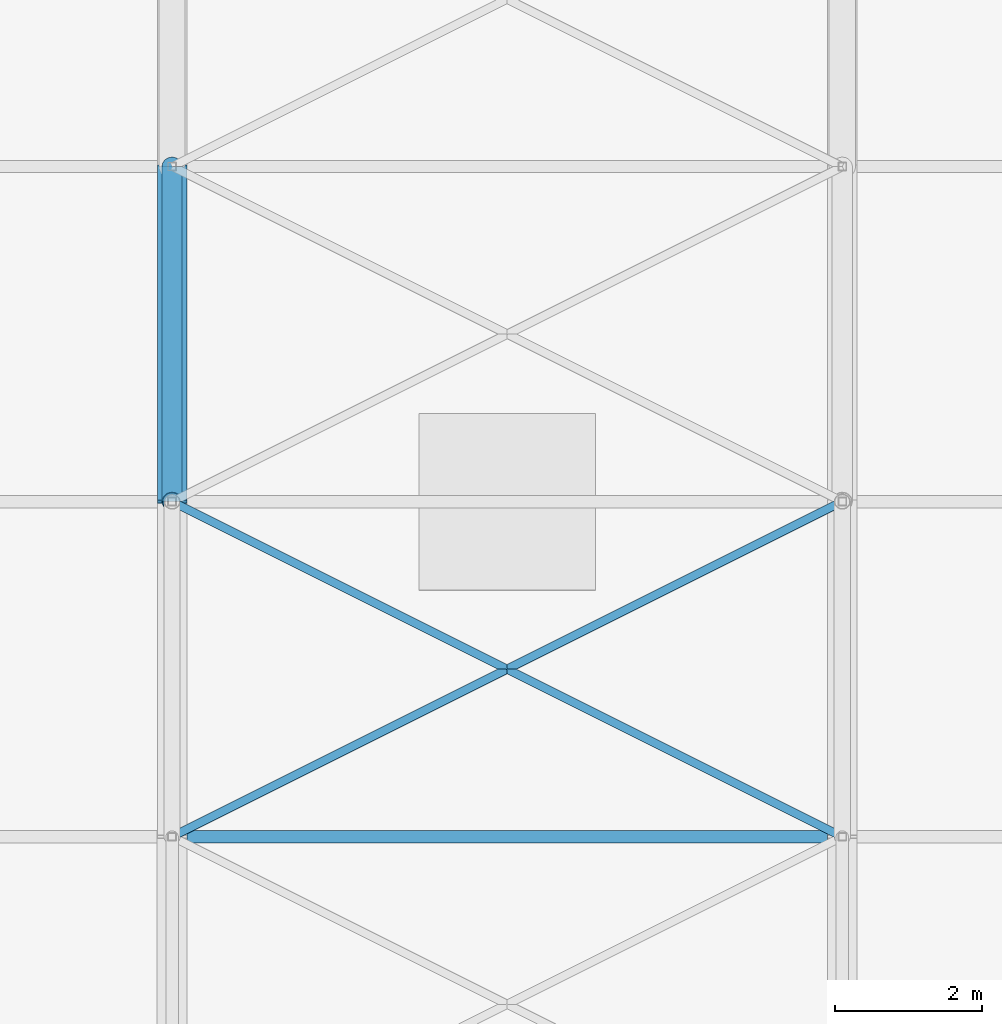
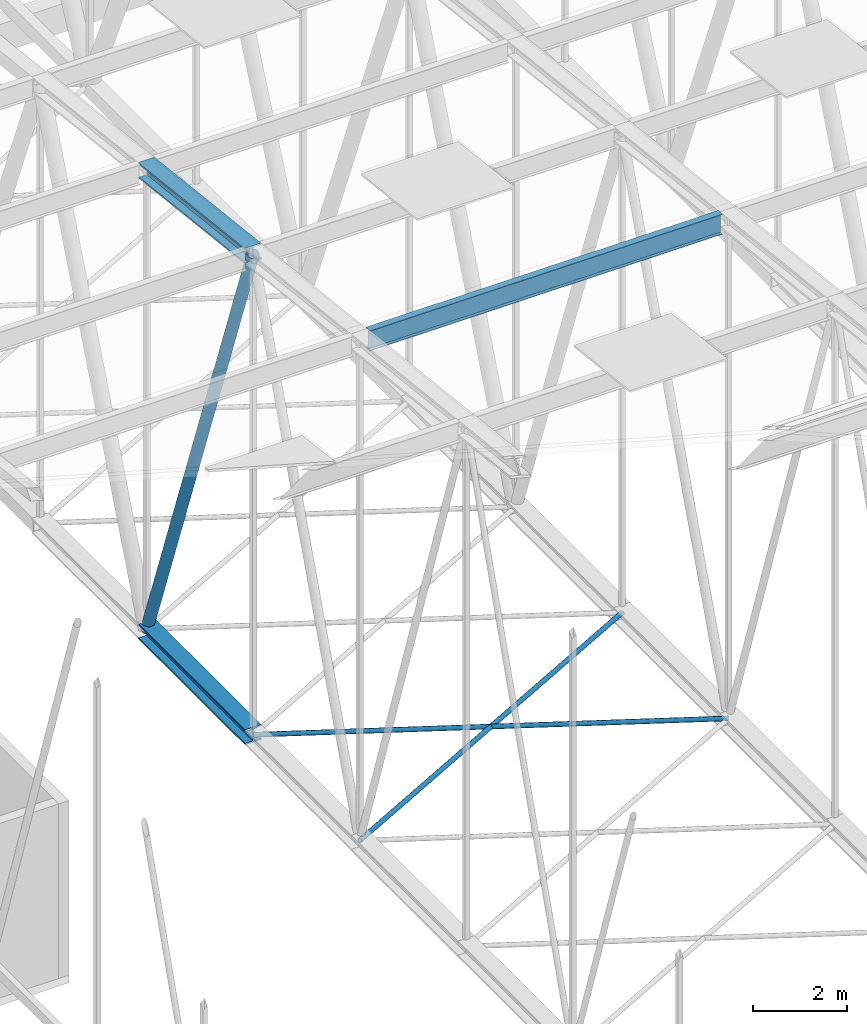
# One storey, part 204 of 500: 6 members.
"""IFC4 building model written with IfcOpenShell, lengths in metres."""

from ifc_helpers import new_model, si_unit, direction, frame, origin, origin_2d, place, context, subcontext, project, spatial, hollow_circle, i_section, extrude, material, material_profile, profile_set, type_object, element, save


model = new_model("IFC4")

# Units and contexts
model_context = context("Model", 3, precision=1e-05, world=origin(), true_north=direction((0.0, 1.0)))
body_context = subcontext(model_context, "Body", "Model", "MODEL_VIEW")
ifc_project = project(units=[si_unit("LENGTHUNIT", "METRE"), si_unit("AREAUNIT", "SQUARE_METRE"), si_unit("VOLUMEUNIT", "CUBIC_METRE"), si_unit("PLANEANGLEUNIT", "RADIAN"), si_unit("MASSUNIT", "GRAM", prefix="KILO")], contexts=[model_context])

# Site, building, storey
site_placement = place(None, origin())
site = spatial("IfcSite", under=ifc_project, at=site_placement, CompositionType="ELEMENT")
building_placement = place(site_placement, origin())
building = spatial("IfcBuilding", under=site, at=building_placement, Name="Shirokan Park Arena", CompositionType="ELEMENT")
storey_placement = place(building_placement, frame((0.0, 0.0, 29.1201171875)))
storey = spatial("IfcBuildingStorey", under=building, at=storey_placement, Name="L06", CompositionType="ELEMENT", Elevation=29.1201171875)

# Members
ifc_material_1 = material(Name="Steel ASTM A992", Category="steel")
ifc_material_profile_1 = material_profile(ifc_material_1, i_section(OverallWidth=0.40087890625, OverallDepth=0.39892578125, WebThickness=0.02490234375, FlangeThickness=0.03955078125, at=origin_2d()), Name="W360X314")
ifc_profile_set_1 = profile_set([ifc_material_profile_1], Name="Steel ASTM A992")
member_type_1 = type_object("IfcMemberType", Name="Bottom chord W360X314", PredefinedType="CHORD", material=ifc_profile_set_1)
member_1_placement = place(storey_placement, frame((45.5, 68.25, 4.677001953125), z_axis=(0.0, 1.0, 0.0), x_axis=(-1.0, 0.0, 0.0)))
element("IfcMember", 1, at=member_1_placement, inside=storey, type_object=member_type_1, Name="Truss T06 bottom chord 18", PredefinedType="CHORD", context=body_context, shape_type="SweptSolid", body=[
    extrude(i_section(OverallWidth=0.40087890625, OverallDepth=0.39892578125, WebThickness=0.02490234375, FlangeThickness=0.03955078125, at=origin_2d()), origin(), (0.0, 0.0, 1.0), 4.550048828125),
])
ifc_material_2 = material(Name="Steel ASTM A500 Grade C", Category="steel")
ifc_material_profile_2 = material_profile(ifc_material_2, hollow_circle(Radius=0.056884765625, WallThickness=0.006103515625, at=origin_2d()), Name="HSS114.3X6")
ifc_profile_set_2 = profile_set([ifc_material_profile_2], Name="Steel ASTM A500 Grade C")
member_type_2 = type_object("IfcMemberType", Name="Plan bracing HSS114.3X6", PredefinedType="BRACE", material=ifc_profile_set_2)
for number, where, z_axis, x_axis, name in (
    (2, (45.5, 63.699951171875, 4.677001953125), (0.894427191, 0.4472135955, 0.0), (-0.4472135955, 0.894427191, 0.0), "Plan bracing bay 6 panel 17 A"),
    (3, (54.60009765625, 63.699951171875, 4.677001953125), (-0.894427191, 0.4472135955, 0.0), (-0.4472135955, -0.894427191, 0.0), "Plan bracing bay 6 panel 17 B"),
):
    element("IfcMember", number, at=place(storey_placement, frame(where, z_axis=z_axis, x_axis=x_axis)), inside=storey, type_object=member_type_2, Name=name, PredefinedType="BRACE", context=body_context, shape_type="SweptSolid", body=[
        extrude(hollow_circle(Radius=0.056884765625, WallThickness=0.006103515625, at=origin_2d()), origin(), (0.0, 0.0, 1.0), 10.17431640625),
    ])
ifc_material_profile_3 = material_profile(ifc_material_1, i_section(OverallWidth=0.166015625, OverallDepth=0.528076171875, WebThickness=0.009765625, FlangeThickness=0.013671875, at=origin_2d()), Name="W530X74")
ifc_profile_set_3 = profile_set([ifc_material_profile_3], Name="Steel ASTM A992")
member_type_3 = type_object("IfcMemberType", Name="Purlin W530X74", PredefinedType="PURLIN", material=ifc_profile_set_3)
member_2_placement = place(storey_placement, frame((45.702880859375, 63.699951171875, 17.685791015625), z_axis=(1.0, 0.0, 0.0), x_axis=(0.0, 1.0, 0.0)))
element("IfcMember", 4, at=member_2_placement, inside=storey, type_object=member_type_3, Name="Purlin 17 bay 6", PredefinedType="PURLIN", context=body_context, shape_type="SweptSolid", body=[
    extrude(i_section(OverallWidth=0.166015625, OverallDepth=0.528076171875, WebThickness=0.009765625, FlangeThickness=0.013671875, at=origin_2d()), origin(), (0.0, 0.0, 1.0), 8.694091796875),
])
ifc_material_profile_4 = material_profile(ifc_material_1, i_section(OverallWidth=0.40087890625, OverallDepth=0.39892578125, WebThickness=0.02490234375, FlangeThickness=0.03955078125, at=origin_2d()), Name="W360X314")
ifc_profile_set_4 = profile_set([ifc_material_profile_4], Name="Steel ASTM A992")
member_type_4 = type_object("IfcMemberType", Name="Top chord W360X314", PredefinedType="CHORD", material=ifc_profile_set_4)
member_3_placement = place(storey_placement, frame((45.5, 68.25, 17.221435546875), z_axis=(0.0, 0.993532328996, -0.113549598152), x_axis=(-1.0, 0.0, 0.0)))
element("IfcMember", 5, at=member_3_placement, inside=storey, type_object=member_type_4, Name="Truss T06 top chord 18", PredefinedType="CHORD", context=body_context, shape_type="SweptSolid", body=[
    extrude(i_section(OverallWidth=0.40087890625, OverallDepth=0.39892578125, WebThickness=0.02490234375, FlangeThickness=0.03955078125, at=origin_2d()), origin(), (0.0, 0.0, 1.0), 4.57958984375),
])
ifc_material_profile_5 = material_profile(ifc_material_2, hollow_circle(Radius=0.136474609375, WallThickness=0.009521484375, at=origin_2d()), Name="HSS273.1X9.5")
ifc_profile_set_5 = profile_set([ifc_material_profile_5], Name="Steel ASTM A500 Grade C")
member_type_5 = type_object("IfcMemberType", Name="Truss diagonal HSS273.1X9.5", PredefinedType="BRACE", material=ifc_profile_set_5)
member_4_placement = place(storey_placement, frame((45.5, 68.25, 17.221435546875), z_axis=(0.0, 0.340977600467, -0.94007142068), x_axis=(-1.0, 0.0, 0.0)))
element("IfcMember", 6, at=member_4_placement, inside=storey, type_object=member_type_5, Name="Truss T06 diagonal 18", PredefinedType="BRACE", context=body_context, shape_type="SweptSolid", body=[
    extrude(hollow_circle(Radius=0.136474609375, WallThickness=0.009521484375, at=origin_2d()), origin(), (0.0, 0.0, 1.0), 13.34423828125),
])

save(model, "model.ifc")
